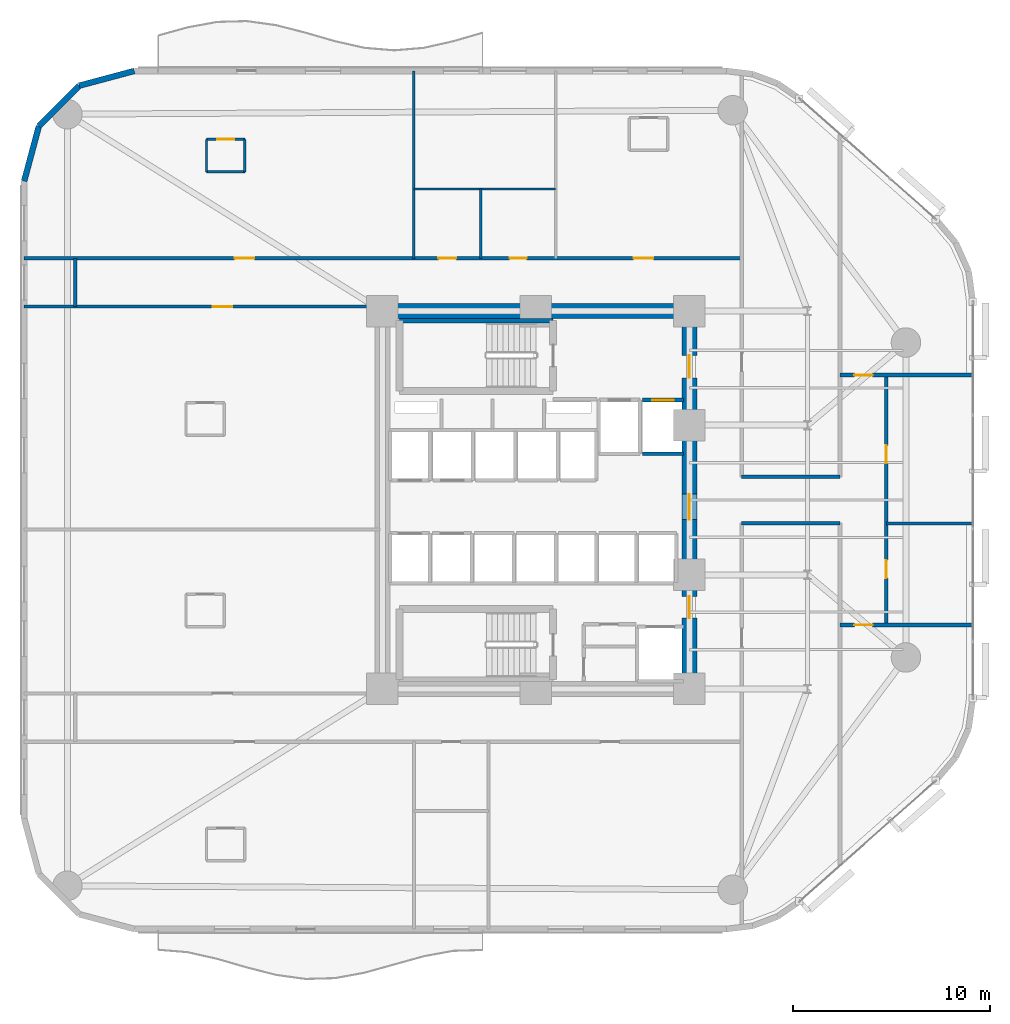
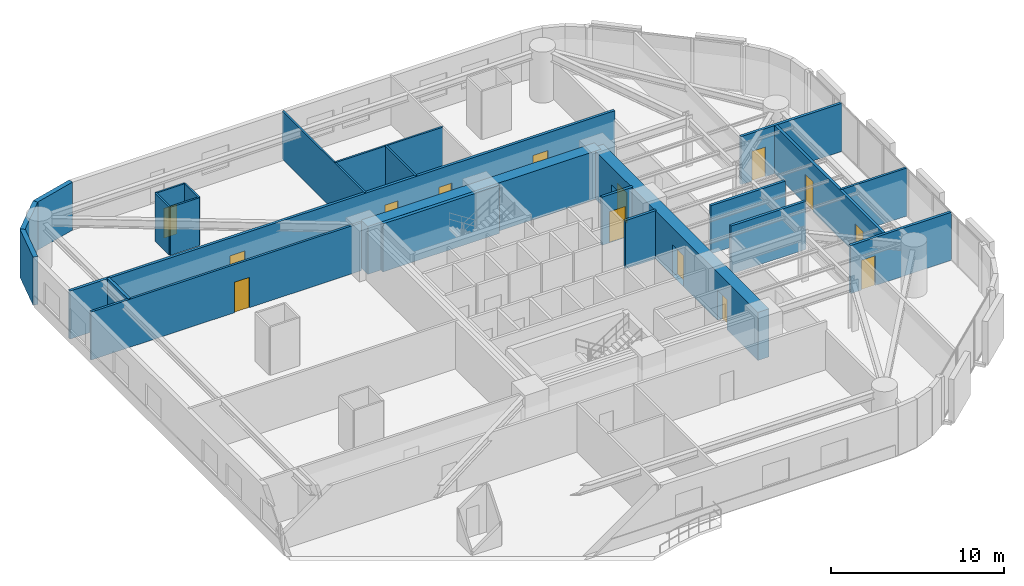
# One storey, part 12 of 16: 24 walls, 14 doors, 14 openings.
"""IFC4 building model written with IfcOpenShell, lengths in metres."""

from ifc_helpers import new_model, si_unit, direction, frame, frame_2d, origin, place, context, subcontext, project, spatial, rectangle, extrude, material, layer, layer_set, type_object, element, fill, save


model = new_model("IFC4")

# Units and contexts
model_context = context("Model", 3, precision=1e-05, world=origin(), true_north=direction((0.0, 1.0)))
body_context = subcontext(model_context, "Body", "Model", "MODEL_VIEW")
ifc_project = project(units=[si_unit("LENGTHUNIT", "METRE"), si_unit("AREAUNIT", "SQUARE_METRE"), si_unit("VOLUMEUNIT", "CUBIC_METRE"), si_unit("PLANEANGLEUNIT", "RADIAN"), si_unit("MASSUNIT", "GRAM", prefix="KILO")], contexts=[model_context])

# Site, building, storey
site_placement = place(None, origin())
site = spatial("IfcSite", under=ifc_project, at=site_placement, CompositionType="ELEMENT")
building_placement = place(site_placement, origin())
building = spatial("IfcBuilding", under=site, at=building_placement, Name="An Khanh Terracotta Commons", CompositionType="ELEMENT")
storey_placement = place(building_placement, frame((0.0, 0.0, 54.0)))
storey = spatial("IfcBuildingStorey", under=building, at=storey_placement, Name="L14", CompositionType="ELEMENT", Elevation=54.0)

# Wall
ifc_material_1 = material(Name="Concrete C70/85", Category="concrete")
ifc_layer_1 = layer(ifc_material_1, 0.75, Name="Concrete C70/85")
ifc_layer_set_1 = layer_set([ifc_layer_1], Name="Concrete C70/85")
wall_type_1 = type_object("IfcWallType", Name="WALL-CORE-750", PredefinedType="SHEAR", material=ifc_layer_set_1)
wall_1_placement = place(storey_placement, frame((21.60009765625, 33.60009765625, 0.0), z_axis=(0.0, 0.0, 1.0), x_axis=(1.0, 0.0, 0.0)))
element("IfcWall", 1, at=wall_1_placement, inside=storey, type_object=wall_type_1, Name="L14 Core Wall CWALL-L14-N", PredefinedType="SHEAR", context=body_context, shape_type="SweptSolid", body=[
    extrude(rectangle(XDim=15.599853515625, YDim=0.75, at=frame_2d((7.7998046875, 0.0))), origin(), (0.0, 0.0, 1.0), 3.39990234375),
])

# Wall, openings, doors
wall_2_placement = place(storey_placement, frame((37.199951171875, 14.39990234375, 0.0), z_axis=(0.0, 0.0, 1.0), x_axis=(0.0, 1.0, 0.0)))
wall_2 = element("IfcWall", 2, at=wall_2_placement, inside=storey, type_object=wall_type_1, Name="L14 Core Wall CWALL-L14-E", PredefinedType="SHEAR", context=body_context, shape_type="SweptSolid", body=[
    extrude(rectangle(XDim=19.2001953125, YDim=0.75, at=frame_2d((9.60009765625, 0.0))), origin(), (0.0, 0.0, 1.0), 3.39990234375),
])
opening_1_placement = place(wall_2_placement, frame((15.800048828125, 0.0, 0.0)))
opening_1 = element("IfcOpeningElement", 3, at=opening_1_placement, cuts=wall_2, Name="Opening D-FFL", PredefinedType="OPENING", context=body_context, shape_type="SweptSolid", body=[
    extrude(rectangle(XDim=1.14990234375, YDim=2.14990234375, at=frame_2d((0.574951171875, 1.074951171875))), frame((0.0, 0.385009765625, 0.0), z_axis=(0.0, -1.0, 0.0), x_axis=(1.0, 0.0, 0.0)), (0.0, 0.0, 1.0), 0.77001953125),
])
opening_2_placement = place(wall_2_placement, frame((3.60009765625, 0.0, 0.0)))
opening_2 = element("IfcOpeningElement", 4, at=opening_2_placement, cuts=wall_2, Name="Opening D-ST", PredefinedType="OPENING", context=body_context, shape_type="SweptSolid", body=[
    extrude(rectangle(XDim=1.10009765625, YDim=2.14990234375, at=frame_2d((0.550048828125, 1.074951171875))), frame((0.0, 0.385009765625, 0.0), z_axis=(0.0, -1.0, 0.0), x_axis=(1.0, 0.0, 0.0)), (0.0, 0.0, 1.0), 0.77001953125),
])
opening_3_placement = place(wall_2_placement, frame((8.60009765625, 0.0, 0.0)))
opening_3 = element("IfcOpeningElement", 5, at=opening_3_placement, cuts=wall_2, Name="Opening D-COR", PredefinedType="OPENING", context=body_context, shape_type="SweptSolid", body=[
    extrude(rectangle(XDim=1.300048828125, YDim=2.199951171875, at=frame_2d((0.64990234375, 1.10009765625))), frame((0.0, 0.385009765625, 0.0), z_axis=(0.0, -1.0, 0.0), x_axis=(1.0, 0.0, 0.0)), (0.0, 0.0, 1.0), 0.77001953125),
])
ifc_material_2 = material(Name="Fire-Rated Glazed Steel Double Door", Category="steel")
door_type_1 = type_object("IfcDoorType", Name="DOOR-CORR-1300", OperationType="NOTDEFINED", PredefinedType="DOOR", material=ifc_material_2)
door_1_placement = place(opening_3_placement, origin())
door_1 = element("IfcDoor", 6, at=door_1_placement, inside=storey, type_object=door_type_1, Name="L14 Passenger Lift Lobby Double Door", OperationType="DOUBLE_DOOR_SINGLE_SWING", OverallHeight=2.199951171875, OverallWidth=1.300048828125, PredefinedType="DOOR", context=body_context, shape_type="SweptSolid", body=[
    extrude(rectangle(XDim=1.300048828125, YDim=2.199951171875, at=frame_2d((0.64990234375, 1.10009765625))), frame((0.0, 0.02490234375, 0.0), z_axis=(0.0, -1.0, 0.0), x_axis=(1.0, 0.0, 0.0)), (0.0, 0.0, 1.0), 0.050048828125),
])
fill(opening_3, door_1)
ifc_material_3 = material(Name="Fire-Rated Steel Leaf and Vision Panel", Category="steel")
door_type_2 = type_object("IfcDoorType", Name="DOOR-FFL-1150", OperationType="NOTDEFINED", PredefinedType="DOOR", material=ifc_material_3)
door_2_placement = place(opening_1_placement, origin())
door_2 = element("IfcDoor", 7, at=door_2_placement, inside=storey, type_object=door_type_2, Name="L14 Firefighting Lift Lobby Fire Door", OperationType="SINGLE_SWING_RIGHT", OverallHeight=2.14990234375, OverallWidth=1.14990234375, PredefinedType="DOOR", context=body_context, shape_type="SweptSolid", body=[
    extrude(rectangle(XDim=1.14990234375, YDim=2.14990234375, at=frame_2d((0.574951171875, 1.074951171875))), frame((0.0, 0.02490234375, 0.0), z_axis=(0.0, -1.0, 0.0), x_axis=(1.0, 0.0, 0.0)), (0.0, 0.0, 1.0), 0.050048828125),
])
fill(opening_1, door_2)
ifc_material_4 = material(Name="Fire-Rated Steel Leaf and Frame", Category="steel")
door_type_3 = type_object("IfcDoorType", Name="DOOR-STAIR-1100", OperationType="NOTDEFINED", PredefinedType="DOOR", material=ifc_material_4)
door_3_placement = place(opening_2_placement, origin())
door_3 = element("IfcDoor", 8, at=door_3_placement, inside=storey, type_object=door_type_3, Name="L14 South Stair Lobby Fire Door", OperationType="SINGLE_SWING_LEFT", OverallHeight=2.14990234375, OverallWidth=1.10009765625, PredefinedType="DOOR", context=body_context, shape_type="SweptSolid", body=[
    extrude(rectangle(XDim=1.10009765625, YDim=2.14990234375, at=frame_2d((0.550048828125, 1.074951171875))), frame((0.0, 0.02490234375, 0.0), z_axis=(0.0, -1.0, 0.0), x_axis=(1.0, 0.0, 0.0)), (0.0, 0.0, 1.0), 0.050048828125),
])
fill(opening_2, door_3)

# Wall, opening, door
ifc_material_5 = material(Name="Fire-Rated Gypsum Board on Steel Stud", Category="steel")
ifc_layer_2 = layer(ifc_material_5, 0.179931640625, Name="Fire-Rated Gypsum Board on Steel Stud")
ifc_layer_set_2 = layer_set([ifc_layer_2], Name="Fire-Rated Gypsum Board on Steel Stud")
wall_type_2 = type_object("IfcWallType", Name="WALL-CORR-180", PredefinedType="PARTITIONING", material=ifc_layer_set_2)
wall_3_placement = place(storey_placement, frame((34.820068359375, 29.080078125, 0.0), z_axis=(0.0, 0.0, 1.0), x_axis=(1.0, 0.0, 0.0)))
wall_3 = element("IfcWall", 9, at=wall_3_placement, inside=storey, type_object=wall_type_2, Name="L14 Core Wall LSH-L14-FFL-02-N", PredefinedType="PARTITIONING", context=body_context, shape_type="SweptSolid", body=[
    extrude(rectangle(XDim=2.079833984375, YDim=0.179931640625, at=frame_2d((1.0400390625, 0.0))), origin(), (0.0, 0.0, 1.0), 3.39990234375),
])
opening_4_placement = place(wall_3_placement, frame((0.489990234375, 0.0, 0.0)))
opening_4 = element("IfcOpeningElement", 10, at=opening_4_placement, cuts=wall_3, Name="Opening LD-FFL-02-L14", PredefinedType="OPENING", context=body_context, shape_type="SweptSolid", body=[
    extrude(rectangle(XDim=1.10009765625, YDim=2.199951171875, at=frame_2d((0.550048828125, 1.10009765625))), frame((0.0, 0.099853515625, 0.0), z_axis=(0.0, -1.0, 0.0), x_axis=(1.0, 0.0, 0.0)), (0.0, 0.0, 1.0), 0.199951171875),
])
ifc_material_6 = material(Name="Brushed Stainless Steel Fire Landing Door", Category="steel")
door_type_4 = type_object("IfcDoorType", Name="DOOR-LD-FFL-1100", OperationType="NOTDEFINED", PredefinedType="DOOR", material=ifc_material_6)
door_4_placement = place(opening_4_placement, origin())
door_4 = element("IfcDoor", 11, at=door_4_placement, inside=storey, type_object=door_type_4, Name="L14 Lift FFL-02 Sliding Landing Door", OperationType="DOUBLE_DOOR_SLIDING", OverallHeight=2.199951171875, OverallWidth=1.10009765625, PredefinedType="DOOR", context=body_context, shape_type="SweptSolid", body=[
    extrude(rectangle(XDim=1.10009765625, YDim=2.199951171875, at=frame_2d((0.550048828125, 1.10009765625))), frame((0.0, 0.02490234375, 0.0), z_axis=(0.0, -1.0, 0.0), x_axis=(1.0, 0.0, 0.0)), (0.0, 0.0, 1.0), 0.050048828125),
])
fill(opening_4, door_4)

# Wall
wall_4_placement = place(storey_placement, frame((36.89990234375, 26.35009765625, 0.0), z_axis=(0.0, 0.0, 1.0), x_axis=(-1.0, 0.0, 0.0)))
element("IfcWall", 12, at=wall_4_placement, inside=storey, type_object=wall_type_2, Name="L14 Core Wall LSH-L14-FFL-02-S", PredefinedType="PARTITIONING", context=body_context, shape_type="SweptSolid", body=[
    extrude(rectangle(XDim=2.079833984375, YDim=0.179931640625, at=frame_2d((1.0400390625, 0.0))), origin(), (0.0, 0.0, 1.0), 3.39990234375),
])

# Wall, opening, door
wall_5_placement = place(storey_placement, frame((44.85009765625, 17.64990234375, 0.0), z_axis=(0.0, 0.0, 1.0), x_axis=(1.0, 0.0, 0.0)))
wall_5 = element("IfcWall", 13, at=wall_5_placement, inside=storey, type_object=wall_type_2, Name="L14 Interior Partition IW-L14-E004", PredefinedType="PARTITIONING", context=body_context, shape_type="SweptSolid", body=[
    extrude(rectangle(XDim=6.75, YDim=0.179931640625, at=frame_2d((3.375, 0.0))), origin(), (0.0, 0.0, 1.0), 3.39990234375),
])
opening_5_placement = place(wall_5_placement, frame((0.73291015625, 0.0, 0.0)))
opening_5 = element("IfcOpeningElement", 14, at=opening_5_placement, cuts=wall_5, Name="Opening D-RM", PredefinedType="OPENING", context=body_context, shape_type="SweptSolid", body=[
    extrude(rectangle(XDim=0.919921875, YDim=2.10009765625, at=frame_2d((0.4599609375, 1.050048828125))), frame((0.0, 0.099853515625, 0.0), z_axis=(0.0, -1.0, 0.0), x_axis=(1.0, 0.0, 0.0)), (0.0, 0.0, 1.0), 0.199951171875),
])
ifc_material_7 = material(Name="Engineered Hardwood Timber Leaf", Category="wood")
door_type_5 = type_object("IfcDoorType", Name="DOOR-INT-920", OperationType="NOTDEFINED", PredefinedType="DOOR", material=ifc_material_7)
door_5_placement = place(opening_5_placement, origin())
door_5 = element("IfcDoor", 15, at=door_5_placement, inside=storey, type_object=door_type_5, Name="L14 CAPS Academic Seminar Room Door", OperationType="SINGLE_SWING_LEFT", OverallHeight=2.10009765625, OverallWidth=0.919921875, PredefinedType="DOOR", context=body_context, shape_type="SweptSolid", body=[
    extrude(rectangle(XDim=0.919921875, YDim=2.10009765625, at=frame_2d((0.4599609375, 1.050048828125))), frame((0.0, 0.02490234375, 0.0), z_axis=(0.0, -1.0, 0.0), x_axis=(1.0, 0.0, 0.0)), (0.0, 0.0, 1.0), 0.050048828125),
])
fill(opening_5, door_5)

# Walls
for number, where, z_axis, x_axis, name in (
    (16, (39.85009765625, 22.820068359375, 0.0), (0.0, 0.0, 1.0), (1.0, 0.0, 0.0), "L14 Interior Partition IW-L14-E006"),
    (17, (39.85009765625, 25.179931640625, 0.0), (0.0, 0.0, 1.0), (1.0, 0.0, 0.0), "L14 Interior Partition IW-L14-E008"),
):
    element("IfcWall", number, at=place(storey_placement, frame(where, z_axis=z_axis, x_axis=x_axis)), inside=storey, type_object=wall_type_2, Name=name, PredefinedType="PARTITIONING", context=body_context, shape_type="SweptSolid", body=[
        extrude(rectangle(XDim=5.0, YDim=0.179931640625, at=frame_2d((2.5, 0.0))), origin(), (0.0, 0.0, 1.0), 3.39990234375),
    ])

# Wall, opening, door
wall_6_placement = place(storey_placement, frame((44.85009765625, 30.35009765625, 0.0), z_axis=(0.0, 0.0, 1.0), x_axis=(1.0, 0.0, 0.0)))
wall_6 = element("IfcWall", 18, at=wall_6_placement, inside=storey, type_object=wall_type_2, Name="L14 Interior Partition IW-L14-E009", PredefinedType="PARTITIONING", context=body_context, shape_type="SweptSolid", body=[
    extrude(rectangle(XDim=6.75, YDim=0.179931640625, at=frame_2d((3.375, 0.0))), origin(), (0.0, 0.0, 1.0), 3.39990234375),
])
opening_6_placement = place(wall_6_placement, frame((0.73291015625, 0.0, 0.0)))
opening_6 = element("IfcOpeningElement", 19, at=opening_6_placement, cuts=wall_6, Name="Opening D-RM", PredefinedType="OPENING", context=body_context, shape_type="SweptSolid", body=[
    extrude(rectangle(XDim=0.919921875, YDim=2.10009765625, at=frame_2d((0.4599609375, 1.050048828125))), frame((0.0, 0.099853515625, 0.0), z_axis=(0.0, -1.0, 0.0), x_axis=(1.0, 0.0, 0.0)), (0.0, 0.0, 1.0), 0.199951171875),
])
door_6_placement = place(opening_6_placement, origin())
door_6 = element("IfcDoor", 20, at=door_6_placement, inside=storey, type_object=door_type_5, Name="L14 CAPN Academic Seminar Room Door", OperationType="SINGLE_SWING_RIGHT", OverallHeight=2.10009765625, OverallWidth=0.919921875, PredefinedType="DOOR", context=body_context, shape_type="SweptSolid", body=[
    extrude(rectangle(XDim=0.919921875, YDim=2.10009765625, at=frame_2d((0.4599609375, 1.050048828125))), frame((0.0, 0.02490234375, 0.0), z_axis=(0.0, -1.0, 0.0), x_axis=(1.0, 0.0, 0.0)), (0.0, 0.0, 1.0), 0.050048828125),
])
fill(opening_6, door_6)

# Wall, openings, doors
wall_7_placement = place(storey_placement, frame((3.39990234375, 36.280029296875, 0.0), z_axis=(0.0, 0.0, 1.0), x_axis=(1.0, 0.0, 0.0)))
wall_7 = element("IfcWall", 21, at=wall_7_placement, inside=storey, type_object=wall_type_2, Name="L14 Interior Partition IW-L14-E011", PredefinedType="PARTITIONING", context=body_context, shape_type="SweptSolid", body=[
    extrude(rectangle(XDim=36.4501953125, YDim=0.179931640625, at=frame_2d((18.22509765625, 0.0))), origin(), (0.0, 0.0, 1.0), 3.39990234375),
])
opening_7_placement = place(wall_7_placement, frame((21.050048828125, 0.0, 0.0)))
opening_7 = element("IfcOpeningElement", 22, at=opening_7_placement, cuts=wall_7, Name="Opening D-WC", PredefinedType="OPENING", context=body_context, shape_type="SweptSolid", body=[
    extrude(rectangle(XDim=0.89990234375, YDim=2.10009765625, at=frame_2d((0.449951171875, 1.050048828125))), frame((0.0, 0.099853515625, 0.0), z_axis=(0.0, -1.0, 0.0), x_axis=(1.0, 0.0, 0.0)), (0.0, 0.0, 1.0), 0.199951171875),
])
opening_8_placement = place(wall_7_placement, frame((24.669921875, 0.0, 0.0)))
opening_8 = element("IfcOpeningElement", 23, at=opening_8_placement, cuts=wall_7, Name="Opening D-ENS", PredefinedType="OPENING", context=body_context, shape_type="SweptSolid", body=[
    extrude(rectangle(XDim=0.860107421875, YDim=2.10009765625, at=frame_2d((0.43017578125, 1.050048828125))), frame((0.0, 0.099853515625, 0.0), z_axis=(0.0, -1.0, 0.0), x_axis=(1.0, 0.0, 0.0)), (0.0, 0.0, 1.0), 0.199951171875),
])
opening_9_placement = place(wall_7_placement, frame((10.699951171875, 0.0, 0.0)))
opening_9 = element("IfcOpeningElement", 24, at=opening_9_placement, cuts=wall_7, Name="Opening D-UN", PredefinedType="OPENING", context=body_context, shape_type="SweptSolid", body=[
    extrude(rectangle(XDim=1.0, YDim=2.14990234375, at=frame_2d((0.5, 1.074951171875))), frame((0.0, 0.099853515625, 0.0), z_axis=(0.0, -1.0, 0.0), x_axis=(1.0, 0.0, 0.0)), (0.0, 0.0, 1.0), 0.199951171875),
])
opening_10_placement = place(wall_7_placement, frame((30.965087890625, 0.0, 0.0)))
opening_10 = element("IfcOpeningElement", 25, at=opening_10_placement, cuts=wall_7, Name="Opening D-UN", PredefinedType="OPENING", context=body_context, shape_type="SweptSolid", body=[
    extrude(rectangle(XDim=1.0, YDim=2.14990234375, at=frame_2d((0.5, 1.074951171875))), frame((0.0, 0.099853515625, 0.0), z_axis=(0.0, -1.0, 0.0), x_axis=(1.0, 0.0, 0.0)), (0.0, 0.0, 1.0), 0.199951171875),
])
ifc_material_8 = material(Name="Moisture-Resistant Hardwood Timber Leaf", Category="wood")
door_type_6 = type_object("IfcDoorType", Name="DOOR-BATH-860", OperationType="NOTDEFINED", PredefinedType="DOOR", material=ifc_material_8)
door_7_placement = place(opening_8_placement, origin())
door_7 = element("IfcDoor", 26, at=door_7_placement, inside=storey, type_object=door_type_6, Name="L14 SHW Resident Shared Shower and Washroom Door", OperationType="SINGLE_SWING_RIGHT", OverallHeight=2.10009765625, OverallWidth=0.860107421875, PredefinedType="DOOR", context=body_context, shape_type="SweptSolid", body=[
    extrude(rectangle(XDim=0.860107421875, YDim=2.10009765625, at=frame_2d((0.43017578125, 1.050048828125))), frame((0.0, 0.02490234375, 0.0), z_axis=(0.0, -1.0, 0.0), x_axis=(1.0, 0.0, 0.0)), (0.0, 0.0, 1.0), 0.050048828125),
])
fill(opening_8, door_7)
ifc_material_9 = material(Name="Solid-Core Hardwood Acoustic Fire Door", Category="wood")
door_type_7 = type_object("IfcDoorType", Name="DOOR-UNIT-1000", OperationType="NOTDEFINED", PredefinedType="DOOR", material=ifc_material_9)
door_8_placement = place(opening_9_placement, origin())
door_8 = element("IfcDoor", 27, at=door_8_placement, inside=storey, type_object=door_type_7, Name="L14 NW1 Kitchenette and Studio Apartment Door", OperationType="SINGLE_SWING_RIGHT", OverallHeight=2.14990234375, OverallWidth=1.0, PredefinedType="DOOR", context=body_context, shape_type="SweptSolid", body=[
    extrude(rectangle(XDim=1.0, YDim=2.14990234375, at=frame_2d((0.5, 1.074951171875))), frame((0.0, 0.02490234375, 0.0), z_axis=(0.0, -1.0, 0.0), x_axis=(1.0, 0.0, 0.0)), (0.0, 0.0, 1.0), 0.050048828125),
])
fill(opening_9, door_8)
door_9_placement = place(opening_10_placement, origin())
door_9 = element("IfcDoor", 28, at=door_9_placement, inside=storey, type_object=door_type_7, Name="L14 NWE Kitchenette and Studio Apartment Door", OperationType="SINGLE_SWING_LEFT", OverallHeight=2.14990234375, OverallWidth=1.0, PredefinedType="DOOR", context=body_context, shape_type="SweptSolid", body=[
    extrude(rectangle(XDim=1.0, YDim=2.14990234375, at=frame_2d((0.5, 1.074951171875))), frame((0.0, 0.02490234375, 0.0), z_axis=(0.0, -1.0, 0.0), x_axis=(1.0, 0.0, 0.0)), (0.0, 0.0, 1.0), 0.050048828125),
])
fill(opening_10, door_9)
ifc_material_10 = material(Name="Laminate Moisture-Resistant Timber Leaf", Category="wood")
door_type_8 = type_object("IfcDoorType", Name="DOOR-WC-900", OperationType="NOTDEFINED", PredefinedType="DOOR", material=ifc_material_10)
door_10_placement = place(opening_7_placement, origin())
door_10 = element("IfcDoor", 29, at=door_10_placement, inside=storey, type_object=door_type_8, Name="L14 AWC Accessible WC Door", OperationType="SINGLE_SWING_LEFT", OverallHeight=2.10009765625, OverallWidth=0.89990234375, PredefinedType="DOOR", context=body_context, shape_type="SweptSolid", body=[
    extrude(rectangle(XDim=0.89990234375, YDim=2.10009765625, at=frame_2d((0.449951171875, 1.050048828125))), frame((0.0, 0.02490234375, 0.0), z_axis=(0.0, -1.0, 0.0), x_axis=(1.0, 0.0, 0.0)), (0.0, 0.0, 1.0), 0.050048828125),
])
fill(opening_7, door_10)

# Wall
wall_8_placement = place(storey_placement, frame((6.0, 33.820068359375, 0.0), z_axis=(0.0, 0.0, 1.0), x_axis=(0.0, 1.0, 0.0)))
element("IfcWall", 30, at=wall_8_placement, inside=storey, type_object=wall_type_2, Name="L14 Interior Partition IW-L14-E014", PredefinedType="PARTITIONING", context=body_context, shape_type="SweptSolid", body=[
    extrude(rectangle(XDim=2.4599609375, YDim=0.179931640625, at=frame_2d((1.22998046875, 0.0))), origin(), (0.0, 0.0, 1.0), 3.39990234375),
])

# Wall, openings, doors
wall_9_placement = place(storey_placement, frame((47.199951171875, 17.64990234375, 0.0), z_axis=(0.0, 0.0, 1.0), x_axis=(0.0, 1.0, 0.0)))
wall_9 = element("IfcWall", 31, at=wall_9_placement, inside=storey, type_object=wall_type_2, Name="L14 Interior Partition IW-L14-E024", PredefinedType="PARTITIONING", context=body_context, shape_type="SweptSolid", body=[
    extrude(rectangle(XDim=12.7001953125, YDim=0.179931640625, at=frame_2d((6.35009765625, 0.0))), origin(), (0.0, 0.0, 1.0), 3.39990234375),
])
opening_11_placement = place(wall_9_placement, frame((8.205078125, 0.0, 0.0)))
opening_11 = element("IfcOpeningElement", 32, at=opening_11_placement, cuts=wall_9, Name="Opening D-RM", PredefinedType="OPENING", context=body_context, shape_type="SweptSolid", body=[
    extrude(rectangle(XDim=0.919921875, YDim=2.10009765625, at=frame_2d((0.4599609375, 1.050048828125))), frame((0.0, 0.099853515625, 0.0), z_axis=(0.0, -1.0, 0.0), x_axis=(1.0, 0.0, 0.0)), (0.0, 0.0, 1.0), 0.199951171875),
])
opening_12_placement = place(wall_9_placement, frame((2.375, 0.0, 0.0)))
opening_12 = element("IfcOpeningElement", 33, at=opening_12_placement, cuts=wall_9, Name="Opening D-RM", PredefinedType="OPENING", context=body_context, shape_type="SweptSolid", body=[
    extrude(rectangle(XDim=0.919921875, YDim=2.10009765625, at=frame_2d((0.4599609375, 1.050048828125))), frame((0.0, 0.099853515625, 0.0), z_axis=(0.0, -1.0, 0.0), x_axis=(1.0, 0.0, 0.0)), (0.0, 0.0, 1.0), 0.199951171875),
])
door_11_placement = place(opening_11_placement, origin())
door_11 = element("IfcDoor", 34, at=door_11_placement, inside=storey, type_object=door_type_5, Name="L14 EF1 Quiet Focus Office Door", OperationType="SINGLE_SWING_RIGHT", OverallHeight=2.10009765625, OverallWidth=0.919921875, PredefinedType="DOOR", context=body_context, shape_type="SweptSolid", body=[
    extrude(rectangle(XDim=0.919921875, YDim=2.10009765625, at=frame_2d((0.4599609375, 1.050048828125))), frame((0.0, 0.02490234375, 0.0), z_axis=(0.0, -1.0, 0.0), x_axis=(1.0, 0.0, 0.0)), (0.0, 0.0, 1.0), 0.050048828125),
])
fill(opening_11, door_11)
door_12_placement = place(opening_12_placement, origin())
door_12 = element("IfcDoor", 35, at=door_12_placement, inside=storey, type_object=door_type_5, Name="L14 EF2 Riverfront Study Lounge Door", OperationType="SINGLE_SWING_LEFT", OverallHeight=2.10009765625, OverallWidth=0.919921875, PredefinedType="DOOR", context=body_context, shape_type="SweptSolid", body=[
    extrude(rectangle(XDim=0.919921875, YDim=2.10009765625, at=frame_2d((0.4599609375, 1.050048828125))), frame((0.0, 0.02490234375, 0.0), z_axis=(0.0, -1.0, 0.0), x_axis=(1.0, 0.0, 0.0)), (0.0, 0.0, 1.0), 0.050048828125),
])
fill(opening_12, door_12)

# Walls
ifc_material_11 = material(Name="Precast concrete C40/50", Category="concrete")
ifc_layer_3 = layer(ifc_material_11, 0.300048828125, Name="Precast concrete C40/50")
ifc_layer_set_3 = layer_set([ifc_layer_3], Name="Precast concrete C40/50")
wall_type_3 = type_object("IfcWallType", Name="WALL-EXT-300", PredefinedType="SOLIDWALL", material=ifc_layer_set_3)
wall_10_placement = place(storey_placement, frame((9.0, 45.800048828125, 0.0), z_axis=(0.0, 0.0, 1.0), x_axis=(-0.96594917914, -0.258731875344, 0.0)))
element("IfcWall", 36, at=wall_10_placement, inside=storey, type_object=wall_type_3, Name="L14 Insulated Terracotta Exterior Wall 21", PredefinedType="SOLIDWALL", context=body_context, shape_type="SweptSolid", body=[
    extrude(rectangle(XDim=2.898681640625, YDim=0.300048828125, at=frame_2d((1.44921875, 0.0))), origin(), (0.0, 0.0, 1.0), 3.39990234375),
])
wall_11_placement = place(storey_placement, frame((6.199951171875, 45.050048828125, 0.0), z_axis=(0.0, 0.0, 1.0), x_axis=(-0.707106781187, -0.707106781187, 0.0)))
element("IfcWall", 37, at=wall_11_placement, inside=storey, type_object=wall_type_3, Name="L14 Insulated Terracotta Exterior Wall 22", PredefinedType="SOLIDWALL", context=body_context, shape_type="SweptSolid", body=[
    extrude(rectangle(XDim=2.899169921875, YDim=0.300048828125, at=frame_2d((1.44970703125, 0.0))), origin(), (0.0, 0.0, 1.0), 3.39990234375),
])
wall_12_placement = place(storey_placement, frame((4.14990234375, 43.0, 0.0), z_axis=(0.0, 0.0, 1.0), x_axis=(-0.258731875344, -0.96594917914, 0.0)))
element("IfcWall", 38, at=wall_12_placement, inside=storey, type_object=wall_type_3, Name="L14 Insulated Terracotta Exterior Wall 23", PredefinedType="SOLIDWALL", context=body_context, shape_type="SweptSolid", body=[
    extrude(rectangle(XDim=2.898681640625, YDim=0.300048828125, at=frame_2d((1.44921875, 0.0))), origin(), (0.0, 0.0, 1.0), 3.39990234375),
])
ifc_material_12 = material(Name="Acoustic Gypsum Board Partition")
ifc_layer_4 = layer(ifc_material_12, 0.14990234375, Name="Acoustic Gypsum Board Partition")
ifc_layer_set_4 = layer_set([ifc_layer_4], Name="Acoustic Gypsum Board Partition")
wall_type_4 = type_object("IfcWallType", Name="WALL-PART-150", PredefinedType="PARTITIONING", material=ifc_layer_set_4)
wall_13_placement = place(storey_placement, frame((47.199951171875, 22.800048828125, 0.0), z_axis=(0.0, 0.0, 1.0), x_axis=(1.0, 0.0, 0.0)))
element("IfcWall", 39, at=wall_13_placement, inside=storey, type_object=wall_type_4, Name="L14 Interior Partition IW-L14-E007", PredefinedType="PARTITIONING", context=body_context, shape_type="SweptSolid", body=[
    extrude(rectangle(XDim=4.400146484375, YDim=0.14990234375, at=frame_2d((2.2001953125, 0.0))), origin(), (0.0, 0.0, 1.0), 3.39990234375),
])

# Wall, opening, door
wall_14_placement = place(storey_placement, frame((3.39990234375, 33.820068359375, 0.0), z_axis=(0.0, 0.0, 1.0), x_axis=(1.0, 0.0, 0.0)))
wall_14 = element("IfcWall", 40, at=wall_14_placement, inside=storey, type_object=wall_type_4, Name="L14 Interior Partition IW-L14-E010", PredefinedType="PARTITIONING", context=body_context, shape_type="SweptSolid", body=[
    extrude(rectangle(XDim=18.080078125, YDim=0.14990234375, at=frame_2d((9.0400390625, 0.0))), origin(), (0.0, 0.0, 1.0), 3.39990234375),
])
opening_13_placement = place(wall_14_placement, frame((9.580078125, 0.0, 0.0)))
opening_13 = element("IfcOpeningElement", 41, at=opening_13_placement, cuts=wall_14, Name="Opening D-UN", PredefinedType="OPENING", context=body_context, shape_type="SweptSolid", body=[
    extrude(rectangle(XDim=1.0, YDim=2.14990234375, at=frame_2d((0.5, 1.074951171875))), frame((0.0, 0.0849609375, 0.0), z_axis=(0.0, -1.0, 0.0), x_axis=(1.0, 0.0, 0.0)), (0.0, 0.0, 1.0), 0.169921875),
])
door_13_placement = place(opening_13_placement, origin())
door_13 = element("IfcDoor", 42, at=door_13_placement, inside=storey, type_object=door_type_7, Name="L14 WW2 Kitchenette and Studio Apartment Door", OperationType="SINGLE_SWING_LEFT", OverallHeight=2.14990234375, OverallWidth=1.0, PredefinedType="DOOR", context=body_context, shape_type="SweptSolid", body=[
    extrude(rectangle(XDim=1.0, YDim=2.14990234375, at=frame_2d((0.5, 1.074951171875))), frame((0.0, 0.02490234375, 0.0), z_axis=(0.0, -1.0, 0.0), x_axis=(1.0, 0.0, 0.0)), (0.0, 0.0, 1.0), 0.050048828125),
])
fill(opening_13, door_13)

# Wall
ifc_material_13 = material(Name="Acoustic Double-Stud Gypsum and Mineral Wool")
ifc_layer_5 = layer(ifc_material_13, 0.219970703125, Name="Acoustic Double-Stud Gypsum and Mineral Wool")
ifc_layer_set_5 = layer_set([ifc_layer_5], Name="Acoustic Double-Stud Gypsum and Mineral Wool")
wall_type_5 = type_object("IfcWallType", Name="WALL-PARTY-220", PredefinedType="PARTITIONING", material=ifc_layer_set_5)
wall_15_placement = place(storey_placement, frame((22.47998046875, 33.110107421875, 0.0), z_axis=(0.0, 0.0, 1.0), x_axis=(1.0, 0.0, 0.0)))
element("IfcWall", 43, at=wall_15_placement, inside=storey, type_object=wall_type_5, Name="L14 Core Wall STW-L14-N-N", PredefinedType="PARTITIONING", context=body_context, shape_type="SweptSolid", body=[
    extrude(rectangle(XDim=7.7900390625, YDim=0.219970703125, at=frame_2d((3.89501953125, 0.0))), origin(), (0.0, 0.0, 1.0), 3.39990234375),
])

# Wall, opening, door
ifc_material_14 = material(Name="Moisture-Resistant Cement Board Partition")
ifc_layer_6 = layer(ifc_material_14, 0.1201171875, Name="Moisture-Resistant Cement Board Partition")
ifc_layer_set_6 = layer_set([ifc_layer_6], Name="Moisture-Resistant Cement Board Partition")
wall_type_6 = type_object("IfcWallType", Name="WALL-WET-120", PredefinedType="PARTITIONING", material=ifc_layer_set_6)
wall_16_placement = place(storey_placement, frame((12.6640625, 42.321044921875, 0.0), z_axis=(0.0, 0.0, 1.0), x_axis=(1.0, 0.0, 0.0)))
wall_16 = element("IfcWall", 44, at=wall_16_placement, inside=storey, type_object=wall_type_6, Name="L14 Interior Partition IW-L14-NW1-BN", PredefinedType="PARTITIONING", context=body_context, shape_type="SweptSolid", body=[
    extrude(rectangle(XDim=1.949951171875, YDim=0.1201171875, at=frame_2d((0.97509765625, 0.0))), origin(), (0.0, 0.0, 1.0), 3.39990234375),
])
opening_14_placement = place(wall_16_placement, frame((0.544921875, 0.0, 0.0)))
opening_14 = element("IfcOpeningElement", 45, at=opening_14_placement, cuts=wall_16, Name="Opening D-ENS", PredefinedType="OPENING", context=body_context, shape_type="SweptSolid", body=[
    extrude(rectangle(XDim=0.860107421875, YDim=2.10009765625, at=frame_2d((0.43017578125, 1.050048828125))), frame((0.0, 0.070068359375, 0.0), z_axis=(0.0, -1.0, 0.0), x_axis=(1.0, 0.0, 0.0)), (0.0, 0.0, 1.0), 0.14013671875),
])
door_14_placement = place(opening_14_placement, origin())
door_14 = element("IfcDoor", 46, at=door_14_placement, inside=storey, type_object=door_type_6, Name="L14 Studio NW1 En-suite Door", OperationType="SINGLE_SWING_RIGHT", OverallHeight=2.10009765625, OverallWidth=0.860107421875, PredefinedType="DOOR", context=body_context, shape_type="SweptSolid", body=[
    extrude(rectangle(XDim=0.860107421875, YDim=2.10009765625, at=frame_2d((0.43017578125, 1.050048828125))), frame((0.0, 0.02490234375, 0.0), z_axis=(0.0, -1.0, 0.0), x_axis=(1.0, 0.0, 0.0)), (0.0, 0.0, 1.0), 0.050048828125),
])
fill(opening_14, door_14)

# Walls
wall_17_placement = place(storey_placement, frame((14.614013671875, 40.6708984375, 0.0), z_axis=(0.0, 0.0, 1.0), x_axis=(-1.0, 0.0, 0.0)))
element("IfcWall", 47, at=wall_17_placement, inside=storey, type_object=wall_type_6, Name="L14 Interior Partition IW-L14-NW1-BS", PredefinedType="PARTITIONING", context=body_context, shape_type="SweptSolid", body=[
    extrude(rectangle(XDim=1.949951171875, YDim=0.1201171875, at=frame_2d((0.97509765625, 0.0))), origin(), (0.0, 0.0, 1.0), 3.39990234375),
])
for number, where, z_axis, x_axis, name in (
    (48, (12.6640625, 42.321044921875, 0.0), (0.0, 0.0, 1.0), (0.0, -1.0, 0.0), "L14 Interior Partition IW-L14-NW1-BW"),
    (49, (14.614013671875, 40.6708984375, 0.0), (0.0, 0.0, 1.0), (0.0, 1.0, 0.0), "L14 Interior Partition IW-L14-NW1-BE"),
):
    element("IfcWall", number, at=place(storey_placement, frame(where, z_axis=z_axis, x_axis=x_axis)), inside=storey, type_object=wall_type_6, Name=name, PredefinedType="PARTITIONING", context=body_context, shape_type="SweptSolid", body=[
        extrude(rectangle(XDim=1.650146484375, YDim=0.1201171875, at=frame_2d((0.8251953125, 0.0))), origin(), (0.0, 0.0, 1.0), 3.39990234375),
    ])
wall_18_placement = place(storey_placement, frame((23.199951171875, 39.800048828125, 0.0), z_axis=(0.0, 0.0, 1.0), x_axis=(1.0, 0.0, 0.0)))
element("IfcWall", 50, at=wall_18_placement, inside=storey, type_object=wall_type_6, Name="L14 Interior Partition IW-L14-E012", PredefinedType="PARTITIONING", context=body_context, shape_type="SweptSolid", body=[
    extrude(rectangle(XDim=7.199951171875, YDim=0.1201171875, at=frame_2d((3.60009765625, 0.0))), origin(), (0.0, 0.0, 1.0), 3.39990234375),
])
wall_19_placement = place(storey_placement, frame((23.199951171875, 36.280029296875, 0.0), z_axis=(0.0, 0.0, 1.0), x_axis=(0.0, 1.0, 0.0)))
element("IfcWall", 51, at=wall_19_placement, inside=storey, type_object=wall_type_6, Name="L14 Interior Partition IW-L14-E016", PredefinedType="PARTITIONING", context=body_context, shape_type="SweptSolid", body=[
    extrude(rectangle(XDim=9.52001953125, YDim=0.1201171875, at=frame_2d((4.760009765625, 0.0))), origin(), (0.0, 0.0, 1.0), 3.39990234375),
])
wall_20_placement = place(storey_placement, frame((26.60009765625, 36.280029296875, 0.0), z_axis=(0.0, 0.0, 1.0), x_axis=(0.0, 1.0, 0.0)))
element("IfcWall", 52, at=wall_20_placement, inside=storey, type_object=wall_type_6, Name="L14 Interior Partition IW-L14-E017", PredefinedType="PARTITIONING", context=body_context, shape_type="SweptSolid", body=[
    extrude(rectangle(XDim=3.52001953125, YDim=0.1201171875, at=frame_2d((1.760009765625, 0.0))), origin(), (0.0, 0.0, 1.0), 3.39990234375),
])

save(model, "model.ifc")
